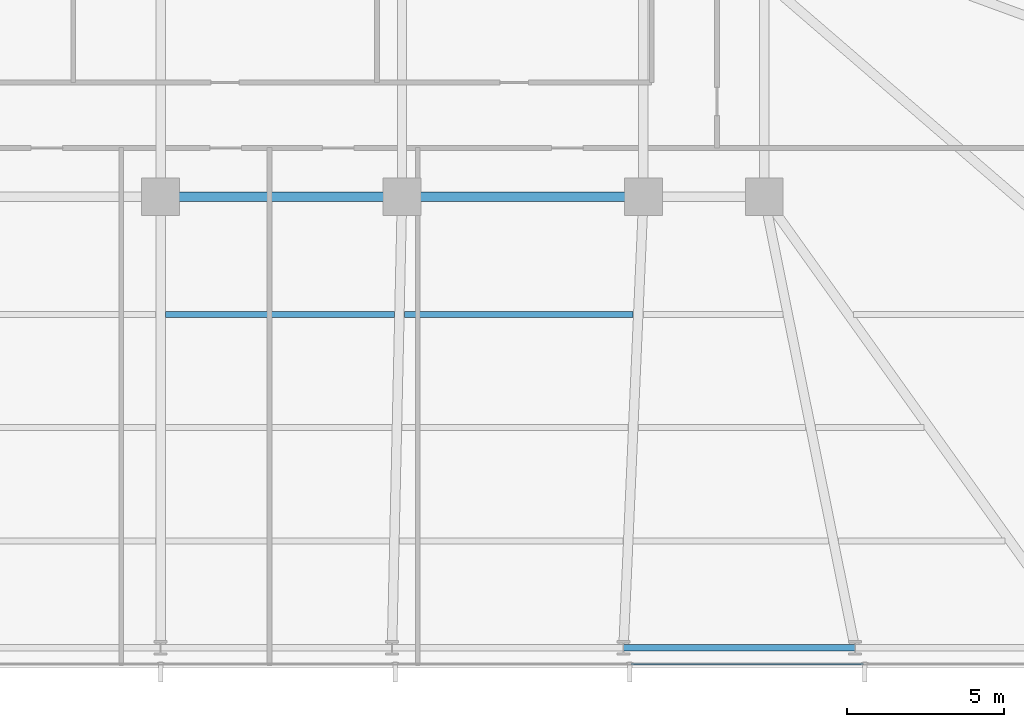
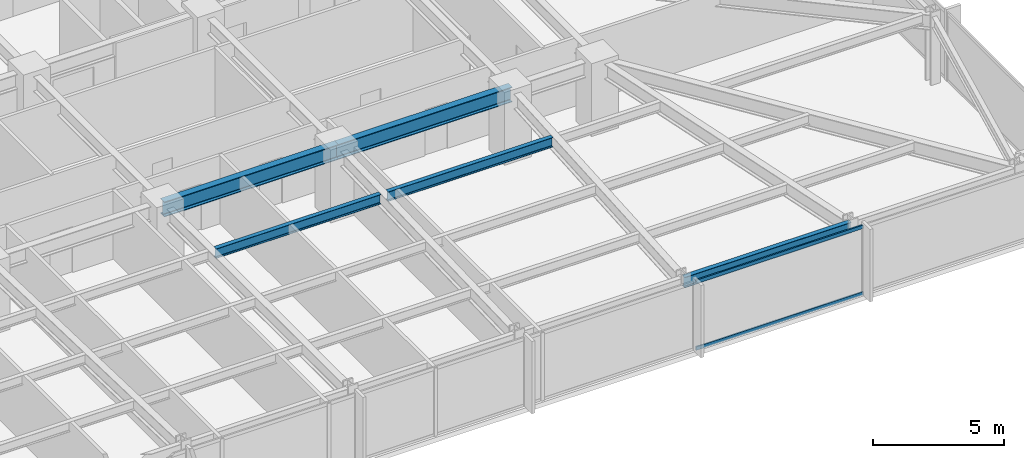
# One storey, part 13 of 32: 5 beams, 2 members, 1 element without a shape of its own.
"""IFC4 building model written with IfcOpenShell, lengths in metres."""

from ifc_helpers import new_model, si_unit, direction, frame, origin, origin_2d, place, context, subcontext, project, spatial, hollow_rectangle, i_section, extrude, material, material_profile, profile_set, type_object, element, aggregate, save


model = new_model("IFC4")

# Units and contexts
model_context = context("Model", 3, precision=1e-05, world=origin(), true_north=direction((0.0, 1.0)))
body_context = subcontext(model_context, "Body", "Model", "MODEL_VIEW")
ifc_project = project(units=[si_unit("LENGTHUNIT", "METRE"), si_unit("AREAUNIT", "SQUARE_METRE"), si_unit("VOLUMEUNIT", "CUBIC_METRE"), si_unit("PLANEANGLEUNIT", "RADIAN"), si_unit("MASSUNIT", "GRAM", prefix="KILO")], contexts=[model_context])

# Site, building, storey
site_placement = place(None, origin())
site = spatial("IfcSite", under=ifc_project, at=site_placement, CompositionType="ELEMENT")
building_placement = place(site_placement, origin())
building = spatial("IfcBuilding", under=site, at=building_placement, Name="Yelkora Congress Tower", CompositionType="ELEMENT")
storey_placement = place(building_placement, frame((0.0, 0.0, 61.0)))
storey = spatial("IfcBuildingStorey", under=building, at=storey_placement, Name="L15", CompositionType="ELEMENT", Elevation=61.0)

# Beams
ifc_material_1 = material(Name="Steel S355J2", Category="steel")
ifc_material_profile_1 = material_profile(ifc_material_1, i_section(OverallWidth=0.300048828125, OverallDepth=0.699951171875, WebThickness=0.01708984375, FlangeThickness=0.031982421875, FilletRadius=0.027099609375, at=origin_2d()), Name="HEB 700")
ifc_profile_set_1 = profile_set([ifc_material_profile_1], Name="Steel S355J2")
beam_type_1 = type_object("IfcBeamType", Name="BM-GIRD-HEB700", PredefinedType="BEAM", material=ifc_profile_set_1)
beam_1_placement = place(storey_placement, frame((38.39990234375, 25.199951171875, 2.830078125), z_axis=(1.0, 0.0, 0.0), x_axis=(0.0, 1.0, 0.0)))
element("IfcBeam", 1, at=beam_1_placement, inside=storey, type_object=beam_type_1, Name="L15 Spine Grid D Girder 4", PredefinedType="BEAM", context=body_context, shape_type="SweptSolid", body=[
    extrude(i_section(OverallWidth=0.300048828125, OverallDepth=0.699951171875, WebThickness=0.01708984375, FlangeThickness=0.031982421875, FilletRadius=0.027099609375, at=origin_2d()), origin(), (0.0, 0.0, 1.0), 7.68017578125),
])
beam_2_placement = place(storey_placement, frame((46.080078125, 25.199951171875, 2.830078125), z_axis=(1.0, 0.0, 0.0), x_axis=(0.0, 1.0, 0.0)))
element("IfcBeam", 2, at=beam_2_placement, inside=storey, type_object=beam_type_1, Name="L15 Spine Grid D Girder 5", PredefinedType="BEAM", context=body_context, shape_type="SweptSolid", body=[
    extrude(i_section(OverallWidth=0.300048828125, OverallDepth=0.699951171875, WebThickness=0.01708984375, FlangeThickness=0.031982421875, FilletRadius=0.027099609375, at=origin_2d()), origin(), (0.0, 0.0, 1.0), 7.679931640625),
])
ifc_material_profile_2 = material_profile(ifc_material_1, i_section(OverallWidth=0.18994140625, OverallDepth=0.449951171875, WebThickness=0.009521484375, FlangeThickness=0.0146484375, FilletRadius=0.02099609375, at=origin_2d()), Name="IPE 450")
ifc_profile_set_2 = profile_set([ifc_material_profile_2], Name="Steel S355J2")
beam_type_2 = type_object("IfcBeamType", Name="BM-JOIST-IPE450", PredefinedType="JOIST", material=ifc_profile_set_2)
beam_3_placement = place(storey_placement, frame((38.56005859375, 21.449951171875, 2.955078125), z_axis=(1.0, 0.0, 0.0), x_axis=(0.0, 1.0, 0.0)))
element("IfcBeam", 3, at=beam_3_placement, inside=storey, type_object=beam_type_2, Name="L15 Composite Floor Joist 20", PredefinedType="JOIST", context=body_context, shape_type="SweptSolid", body=[
    extrude(i_section(OverallWidth=0.18994140625, OverallDepth=0.449951171875, WebThickness=0.009521484375, FlangeThickness=0.0146484375, FilletRadius=0.02099609375, at=origin_2d()), origin(), (0.0, 0.0, 1.0), 7.27685546875),
])
beam_4_placement = place(storey_placement, frame((46.156982421875, 21.449951171875, 2.955078125), z_axis=(1.0, 0.0, 0.0), x_axis=(0.0, 1.0, 0.0)))
element("IfcBeam", 4, at=beam_4_placement, inside=storey, type_object=beam_type_2, Name="L15 Composite Floor Joist 21", PredefinedType="JOIST", context=body_context, shape_type="SweptSolid", body=[
    extrude(i_section(OverallWidth=0.18994140625, OverallDepth=0.449951171875, WebThickness=0.009521484375, FlangeThickness=0.0146484375, FilletRadius=0.02099609375, at=origin_2d()), origin(), (0.0, 0.0, 1.0), 7.277099609375),
])
ifc_material_profile_3 = material_profile(ifc_material_1, i_section(OverallWidth=0.199951171875, OverallDepth=0.5, WebThickness=0.01025390625, FlangeThickness=0.01611328125, FilletRadius=0.02099609375, at=origin_2d()), Name="IPE 500")
ifc_profile_set_3 = profile_set([ifc_material_profile_3], Name="Steel S355J2")
beam_type_3 = type_object("IfcBeamType", Name="BM-SPAN-IPE500", PredefinedType="SPANDREL", material=ifc_profile_set_3)
beam_5_placement = place(storey_placement, frame((53.125, 10.85009765625, 2.929931640625), z_axis=(1.0, 0.0, 0.0), x_axis=(0.0, 1.0, 0.0)))
element("IfcBeam", 5, at=beam_5_placement, inside=storey, type_object=beam_type_3, Name="L15 Perimeter Beam 8", PredefinedType="SPANDREL", context=body_context, shape_type="SweptSolid", body=[
    extrude(i_section(OverallWidth=0.199951171875, OverallDepth=0.5, WebThickness=0.01025390625, FlangeThickness=0.01611328125, FilletRadius=0.02099609375, at=origin_2d()), origin(), (0.0, 0.0, 1.0), 7.362548828125),
])

# Curtain wall, members
ifc_material_2 = material(Name="Anodised aluminium and insulated glass", Category="aluminium")
curtain_wall_type = type_object("IfcCurtainWallType", Name="CW-SYS-B1", PredefinedType="NOTDEFINED", material=ifc_material_2)
curtain_wall_placement = place(storey_placement, origin())
curtain_wall = element("IfcCurtainWall", 6, at=curtain_wall_placement, inside=storey, type_object=curtain_wall_type, Name="L15 Unitised Curtain Wall 20", PredefinedType="NOTDEFINED")
ifc_material_3 = material(Name="Anodised aluminium 6063-T6", Category="aluminium")
ifc_material_profile_4 = material_profile(ifc_material_3, hollow_rectangle(XDim=0.06494140625, YDim=0.159912109375, WallThickness=0.00390625, at=origin_2d()), Name="ALU 65x160x4")
ifc_profile_set_4 = profile_set([ifc_material_profile_4], Name="Anodised aluminium 6063-T6")
member_type = type_object("IfcMemberType", Name="MEM-TR-B1", PredefinedType="USERDEFINED", material=ifc_profile_set_4)
member_1_placement = place(storey_placement, frame((60.757568359375, 10.340087890625, 0.032470703125), z_axis=(-1.0, 0.0, 0.0), x_axis=(0.0, -1.0, 0.0)))
member_1 = element("IfcMember", 7, at=member_1_placement, type_object=member_type, Name="CW-B1 transom 2.1", ObjectType="TRANSOM", PredefinedType="USERDEFINED", context=body_context, shape_type="SweptSolid", body=[
    extrude(hollow_rectangle(XDim=0.06494140625, YDim=0.159912109375, WallThickness=0.00390625, at=origin_2d()), origin(), (0.0, 0.0, 1.0), 7.39013671875),
])
member_2_placement = place(storey_placement, frame((60.757568359375, 10.340087890625, 3.1474609375), z_axis=(-1.0, 0.0, 0.0), x_axis=(0.0, -1.0, 0.0)))
member_2 = element("IfcMember", 8, at=member_2_placement, type_object=member_type, Name="CW-B1 transom 2.2", ObjectType="TRANSOM", PredefinedType="USERDEFINED", context=body_context, shape_type="SweptSolid", body=[
    extrude(hollow_rectangle(XDim=0.06494140625, YDim=0.159912109375, WallThickness=0.00390625, at=origin_2d()), origin(), (0.0, 0.0, 1.0), 7.39013671875),
])
aggregate(curtain_wall, [member_1, member_2])

save(model, "model.ifc")
